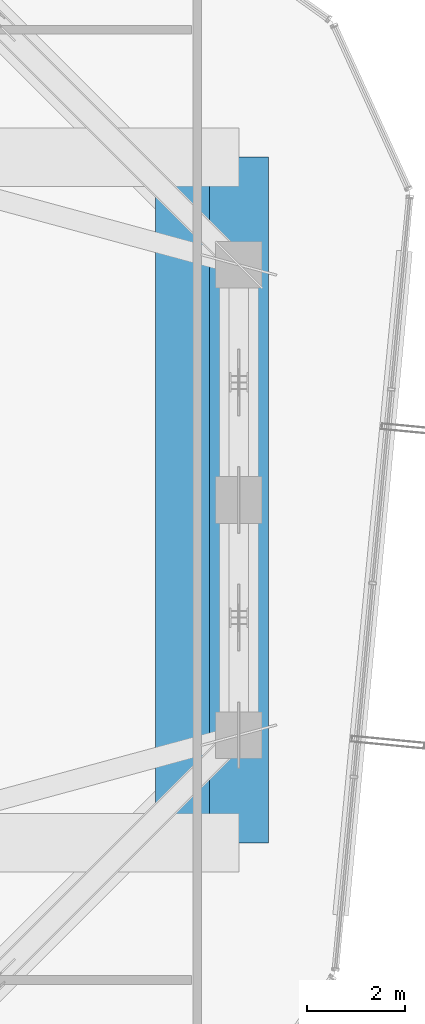
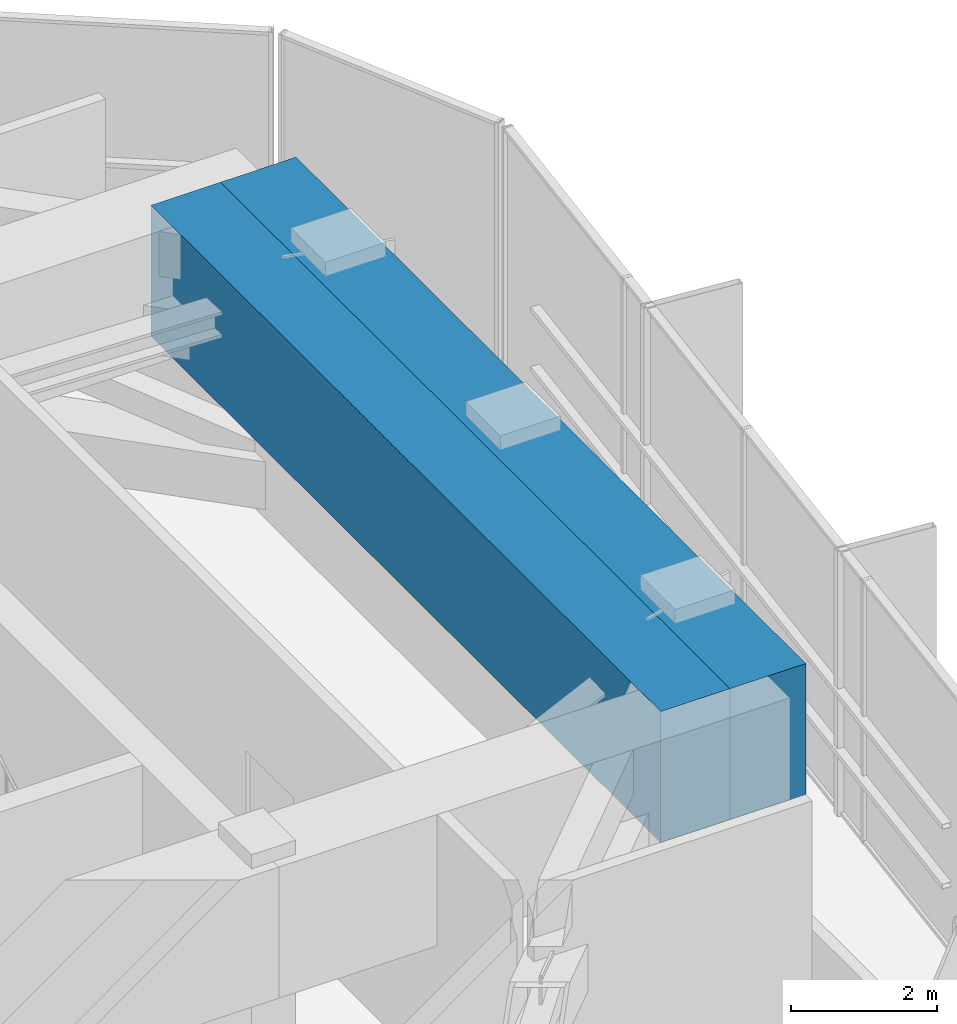
# One storey, part 17 of 31: 2 beams.
"""IFC4 building model written with IfcOpenShell, lengths in metres."""

from ifc_helpers import new_model, si_unit, direction, frame, origin, origin_2d, place, context, subcontext, project, spatial, rectangle, extrude, material, material_profile, profile_set, type_object, element, save


model = new_model("IFC4")

# Units and contexts
model_context = context("Model", 3, precision=1e-05, world=origin(), true_north=direction((0.0, 1.0)))
body_context = subcontext(model_context, "Body", "Model", "MODEL_VIEW")
ifc_project = project(units=[si_unit("LENGTHUNIT", "METRE"), si_unit("AREAUNIT", "SQUARE_METRE"), si_unit("VOLUMEUNIT", "CUBIC_METRE"), si_unit("PLANEANGLEUNIT", "RADIAN"), si_unit("MASSUNIT", "GRAM", prefix="KILO")], contexts=[model_context])

# Site, building, storey
site_placement = place(None, origin())
site = spatial("IfcSite", under=ifc_project, at=site_placement, CompositionType="ELEMENT")
building_placement = place(site_placement, origin())
building = spatial("IfcBuilding", under=site, at=building_placement, Name="Veraguas Prism Commons", CompositionType="ELEMENT")
storey_placement = place(building_placement, frame((0.0, 0.0, 225.39990234375)))
storey = spatial("IfcBuildingStorey", under=building, at=storey_placement, Name="L64", CompositionType="ELEMENT", Elevation=225.39990234375)

# Beams
ifc_material = material(Name="Concrete C50/60", Category="concrete")
ifc_material_profile = material_profile(ifc_material, rectangle(XDim=1.199951171875, YDim=2.199951171875, at=origin_2d()), Name="RC1200X2200")
ifc_profile_set = profile_set([ifc_material_profile], Name="Concrete C50/60")
beam_type = type_object("IfcBeamType", Name="Podium Transfer Girder RC 1200x2200", PredefinedType="BEAM", material=ifc_profile_set)
for number, where, z_axis, x_axis, name in (
    (1, (38.89990234375, 17.0, 3.315185546875), (0.0, 1.0, 0.0), (-1.0, 0.0, 0.0), "East Outer Edge Transfer Girder L64"),
    (2, (37.800048828125, 17.0, 3.315185546875), (0.0, 1.0, 0.0), (-1.0, 0.0, 0.0), "East Setback Transfer Girder L64"),
):
    element("IfcBeam", number, at=place(storey_placement, frame(where, z_axis=z_axis, x_axis=x_axis)), inside=storey, type_object=beam_type, Name=name, PredefinedType="BEAM", context=body_context, shape_type="SweptSolid", body=[
        extrude(rectangle(XDim=1.199951171875, YDim=2.199951171875, at=origin_2d()), origin(), (0.0, 0.0, 1.0), 14.0),
    ])

save(model, "model.ifc")
